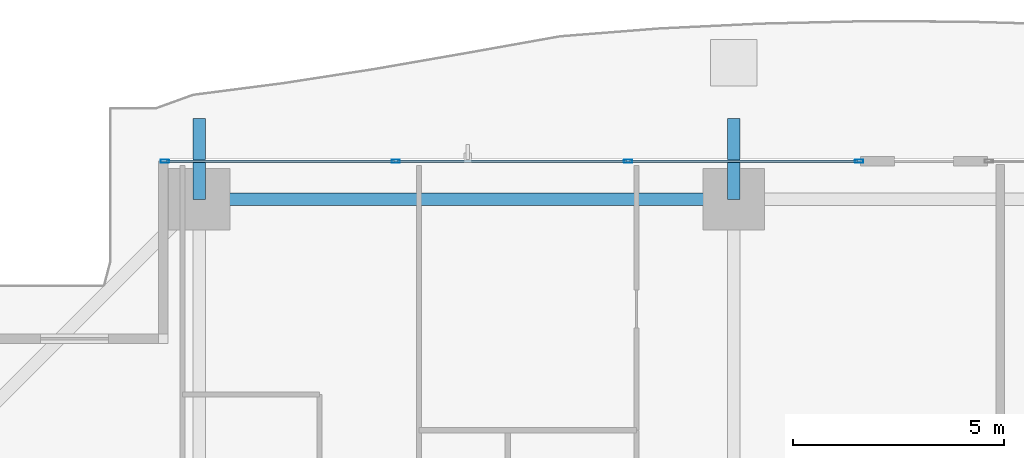
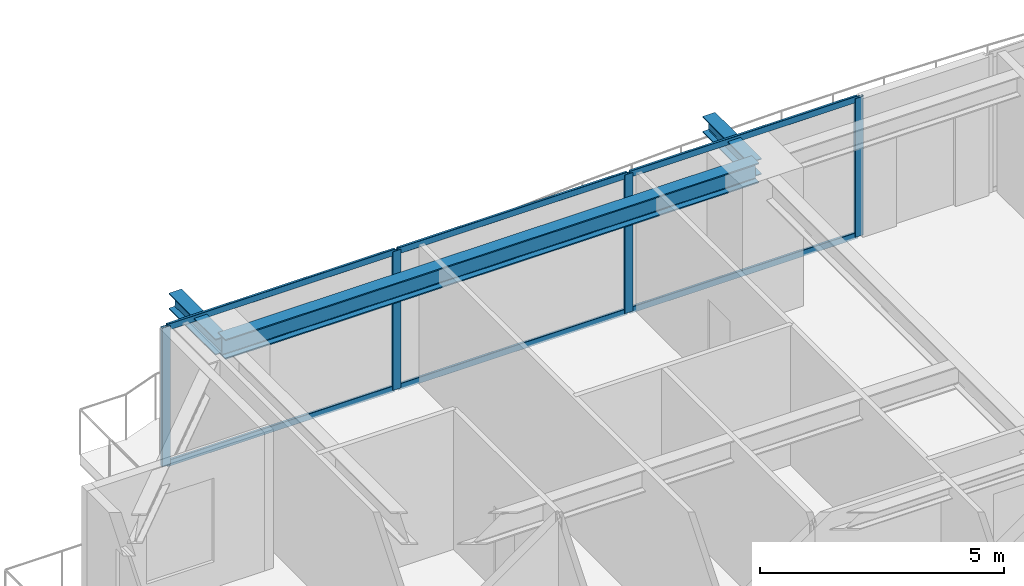
# One storey, part 17 of 36: 10 members, 3 beams, 1 element without a shape of its own.
"""IFC4 building model written with IfcOpenShell, lengths in metres."""

from ifc_helpers import new_model, si_unit, direction, frame, origin, origin_2d, place, context, subcontext, project, spatial, hollow_rectangle, i_section, extrude, source, transform, mapped, material, layer, layer_set, material_profile, profile_set, type_object, element, aggregate, save


model = new_model("IFC4")

# Units and contexts
model_context = context("Model", 3, precision=1e-05, world=origin(), true_north=direction((0.0, 1.0)))
body_context = subcontext(model_context, "Body", "Model", "MODEL_VIEW")
ifc_project = project(units=[si_unit("LENGTHUNIT", "METRE"), si_unit("AREAUNIT", "SQUARE_METRE"), si_unit("VOLUMEUNIT", "CUBIC_METRE"), si_unit("PLANEANGLEUNIT", "RADIAN"), si_unit("MASSUNIT", "GRAM", prefix="KILO")], contexts=[model_context])

# Site, building, storey
site_placement = place(None, origin())
site = spatial("IfcSite", under=ifc_project, at=site_placement, CompositionType="ELEMENT")
building_placement = place(site_placement, origin())
building = spatial("IfcBuilding", under=site, at=building_placement, Name="Serunith Strait Residences", CompositionType="ELEMENT")
storey_placement = place(building_placement, frame((0.0, 0.0, 41.699951171875)))
storey = spatial("IfcBuildingStorey", under=building, at=storey_placement, Name="L09", CompositionType="ELEMENT", Elevation=41.699951171875)

# Beams
ifc_material_1 = material(Name="Steel S355J2", Category="steel")
ifc_material_profile_1 = material_profile(ifc_material_1, i_section(OverallWidth=0.300048828125, OverallDepth=0.5, WebThickness=0.014404296875, FlangeThickness=0.028076171875, FilletRadius=0.027099609375, at=origin_2d()), Name="HEB 500")
ifc_profile_set_1 = profile_set([ifc_material_profile_1], Name="Steel S355J2")
beam_type_1 = type_object("IfcBeamType", Name="BM-HEB500", PredefinedType="BEAM", material=ifc_profile_set_1)
shared_shape_1 = source(origin(), body_context, "Body", "SweptSolid", [
    extrude(i_section(OverallWidth=0.300048828125, OverallDepth=0.5, WebThickness=0.014404296875, FlangeThickness=0.028076171875, FilletRadius=0.027099609375, at=origin_2d()), origin(), (0.0, 0.0, 1.0), 12.64990234375),
])
beam_placement = place(storey_placement, frame((27.89990234375, 49.300048828125, 3.237060546875), z_axis=(-1.0, 0.0, 0.0), x_axis=(0.0, -1.0, 0.0)))
element("IfcBeam", 1, at=beam_placement, inside=storey, type_object=beam_type_1, Name="L09 Perimeter Ring Beam 11", PredefinedType="BEAM", context=body_context, shape_type="MappedRepresentation", body=[
    mapped(shared_shape_1, transform((0.0, 0.0, 0.0), scale=1.0)),
])
ifc_material_profile_2 = material_profile(ifc_material_1, i_section(OverallWidth=0.300048828125, OverallDepth=0.39990234375, WebThickness=0.013427734375, FlangeThickness=0.02392578125, FilletRadius=0.027099609375, at=origin_2d()), Name="HEB 400")
ifc_profile_set_2 = profile_set([ifc_material_profile_2], Name="Steel S355J2")
beam_type_2 = type_object("IfcBeamType", Name="BM-HEB400", PredefinedType="BEAM", material=ifc_profile_set_2)
shared_shape_2 = source(origin(), body_context, "Body", "SweptSolid", [
    extrude(i_section(OverallWidth=0.300048828125, OverallDepth=0.39990234375, WebThickness=0.013427734375, FlangeThickness=0.02392578125, FilletRadius=0.027099609375, at=origin_2d()), origin(), (0.0, 0.0, 1.0), 1.909912109375),
])
for number, where, z_axis, x_axis, name in (
    (2, (15.25, 49.300048828125, 3.257080078125), (0.0, 1.0, 0.0), (-1.0, 0.0, 0.0), "L10 Cantilevered Balcony Rib TC-N1"),
    (3, (27.89990234375, 49.300048828125, 3.257080078125), (0.0, 1.0, 0.0), (-1.0, 0.0, 0.0), "L10 Cantilevered Balcony Rib TC-N2"),
):
    element("IfcBeam", number, at=place(storey_placement, frame(where, z_axis=z_axis, x_axis=x_axis)), inside=storey, type_object=beam_type_2, Name=name, PredefinedType="BEAM", context=body_context, shape_type="MappedRepresentation", body=[
        mapped(shared_shape_2, transform((0.0, 0.0, 0.0), scale=1.0)),
    ])

# Curtain wall, members
ifc_material_2 = material(Name="Pale-Champagne Anodised Aluminium", Category="aluminium")
ifc_layer = layer(ifc_material_2, 0.199951171875, Name="Pale-Champagne Anodised Aluminium")
ifc_layer_set = layer_set([ifc_layer], Name="Pale-Champagne Anodised Aluminium")
curtain_wall_type = type_object("IfcCurtainWallType", Name="CW-SYS1", PredefinedType="NOTDEFINED", material=ifc_layer_set)
curtain_wall_placement = place(storey_placement, origin())
curtain_wall = element("IfcCurtainWall", 4, at=curtain_wall_placement, inside=storey, type_object=curtain_wall_type, Name="L09 N Unitised Fritted Curtain Wall", PredefinedType="NOTDEFINED")
ifc_material_profile_3 = material_profile(ifc_material_2, hollow_rectangle(XDim=0.070068359375, YDim=0.199951171875, WallThickness=0.00390625, InnerFilletRadius=0.006103515625, OuterFilletRadius=0.010009765625, at=origin_2d()), Name="ALU 200x70x4")
ifc_profile_set_3 = profile_set([ifc_material_profile_3], Name="Pale-Champagne Anodised Aluminium")
member_type_1 = type_object("IfcMemberType", Name="CW-SYS1-MULL", PredefinedType="MULLION", material=ifc_profile_set_3)
shared_shape_3 = source(origin(), body_context, "Body", "SweptSolid", [
    extrude(hollow_rectangle(XDim=0.070068359375, YDim=0.199951171875, WallThickness=0.00390625, InnerFilletRadius=0.006103515625, OuterFilletRadius=0.010009765625, at=origin_2d()), origin(), (0.0, 0.0, 1.0), 3.47509765625),
])
member_1_placement = place(storey_placement, frame((30.864990234375, 50.199951171875, 0.0), z_axis=(0.0, 0.0, 1.0), x_axis=(0.0, -1.0, 0.0)))
member_1 = element("IfcMember", 5, at=member_1_placement, type_object=member_type_1, Name="CW-1 mullion 1", PredefinedType="MULLION", context=body_context, shape_type="MappedRepresentation", body=[
    mapped(shared_shape_3, transform((0.0, 0.0, 0.0), scale=1.0)),
])
member_2_placement = place(storey_placement, frame((25.39990234375, 50.199951171875, 0.0), z_axis=(0.0, 0.0, 1.0), x_axis=(0.0, -1.0, 0.0)))
member_2 = element("IfcMember", 6, at=member_2_placement, type_object=member_type_1, Name="CW-1 mullion 2", PredefinedType="MULLION", context=body_context, shape_type="MappedRepresentation", body=[
    mapped(shared_shape_3, transform((0.0, 0.0, 0.0), scale=1.0)),
])
member_3_placement = place(storey_placement, frame((19.89990234375, 50.199951171875, 0.0), z_axis=(0.0, 0.0, 1.0), x_axis=(0.0, -1.0, 0.0)))
member_3 = element("IfcMember", 7, at=member_3_placement, type_object=member_type_1, Name="CW-1 mullion 3", PredefinedType="MULLION", context=body_context, shape_type="MappedRepresentation", body=[
    mapped(shared_shape_3, transform((0.0, 0.0, 0.0), scale=1.0)),
])
member_4_placement = place(storey_placement, frame((14.43505859375, 50.199951171875, 0.0), z_axis=(0.0, 0.0, 1.0), x_axis=(0.0, -1.0, 0.0)))
member_4 = element("IfcMember", 8, at=member_4_placement, type_object=member_type_1, Name="CW-1 mullion 4", PredefinedType="MULLION", context=body_context, shape_type="MappedRepresentation", body=[
    mapped(shared_shape_3, transform((0.0, 0.0, 0.0), scale=1.0)),
])
ifc_material_profile_4 = material_profile(ifc_material_2, hollow_rectangle(XDim=0.06005859375, YDim=0.159912109375, WallThickness=0.00341796875, InnerFilletRadius=0.00537109375, OuterFilletRadius=0.0087890625, at=origin_2d()), Name="ALU 160x60x3.5")
ifc_profile_set_4 = profile_set([ifc_material_profile_4], Name="Pale-Champagne Anodised Aluminium")
member_type_2 = type_object("IfcMemberType", Name="CW-SYS1-TRAN", PredefinedType="USERDEFINED", material=ifc_profile_set_4)
shared_shape_4 = source(origin(), body_context, "Body", "SweptSolid", [
    extrude(hollow_rectangle(XDim=0.06005859375, YDim=0.159912109375, WallThickness=0.00341796875, InnerFilletRadius=0.00537109375, OuterFilletRadius=0.0087890625, at=origin_2d()), origin(), (0.0, 0.0, 1.0), 5.39501953125),
])
member_5_placement = place(storey_placement, frame((30.830078125, 50.199951171875, 0.030029296875), z_axis=(-1.0, 0.0, 0.0), x_axis=(0.0, -1.0, 0.0)))
member_5 = element("IfcMember", 9, at=member_5_placement, type_object=member_type_2, Name="CW-1 transom 1.1", ObjectType="TRANSOM", PredefinedType="USERDEFINED", context=body_context, shape_type="MappedRepresentation", body=[
    mapped(shared_shape_4, transform((0.0, 0.0, 0.0), scale=1.0)),
])
member_6_placement = place(storey_placement, frame((30.830078125, 50.199951171875, 3.445068359375), z_axis=(-1.0, 0.0, 0.0), x_axis=(0.0, -1.0, 0.0)))
member_6 = element("IfcMember", 10, at=member_6_placement, type_object=member_type_2, Name="CW-1 transom 1.2", ObjectType="TRANSOM", PredefinedType="USERDEFINED", context=body_context, shape_type="MappedRepresentation", body=[
    mapped(shared_shape_4, transform((0.0, 0.0, 0.0), scale=1.0)),
])
member_7_placement = place(storey_placement, frame((19.864990234375, 50.199951171875, 0.030029296875), z_axis=(-1.0, 0.0, 0.0), x_axis=(0.0, -1.0, 0.0)))
member_7 = element("IfcMember", 11, at=member_7_placement, type_object=member_type_2, Name="CW-1 transom 3.1", ObjectType="TRANSOM", PredefinedType="USERDEFINED", context=body_context, shape_type="MappedRepresentation", body=[
    mapped(shared_shape_4, transform((0.0, 0.0, 0.0), scale=1.0)),
])
member_8_placement = place(storey_placement, frame((19.864990234375, 50.199951171875, 3.445068359375), z_axis=(-1.0, 0.0, 0.0), x_axis=(0.0, -1.0, 0.0)))
member_8 = element("IfcMember", 12, at=member_8_placement, type_object=member_type_2, Name="CW-1 transom 3.2", ObjectType="TRANSOM", PredefinedType="USERDEFINED", context=body_context, shape_type="MappedRepresentation", body=[
    mapped(shared_shape_4, transform((0.0, 0.0, 0.0), scale=1.0)),
])
shared_shape_5 = source(origin(), body_context, "Body", "SweptSolid", [
    extrude(hollow_rectangle(XDim=0.06005859375, YDim=0.159912109375, WallThickness=0.00341796875, InnerFilletRadius=0.00537109375, OuterFilletRadius=0.0087890625, at=origin_2d()), origin(), (0.0, 0.0, 1.0), 5.429931640625),
])
member_9_placement = place(storey_placement, frame((25.364990234375, 50.199951171875, 0.030029296875), z_axis=(-1.0, 0.0, 0.0), x_axis=(0.0, -1.0, 0.0)))
member_9 = element("IfcMember", 13, at=member_9_placement, type_object=member_type_2, Name="CW-1 transom 2.1", ObjectType="TRANSOM", PredefinedType="USERDEFINED", context=body_context, shape_type="MappedRepresentation", body=[
    mapped(shared_shape_5, transform((0.0, 0.0, 0.0), scale=1.0)),
])
member_10_placement = place(storey_placement, frame((25.364990234375, 50.199951171875, 3.445068359375), z_axis=(-1.0, 0.0, 0.0), x_axis=(0.0, -1.0, 0.0)))
member_10 = element("IfcMember", 14, at=member_10_placement, type_object=member_type_2, Name="CW-1 transom 2.2", ObjectType="TRANSOM", PredefinedType="USERDEFINED", context=body_context, shape_type="MappedRepresentation", body=[
    mapped(shared_shape_5, transform((0.0, 0.0, 0.0), scale=1.0)),
])
aggregate(curtain_wall, [member_1, member_2, member_3, member_4, member_5, member_6, member_9, member_10, member_7, member_8])

save(model, "model.ifc")
